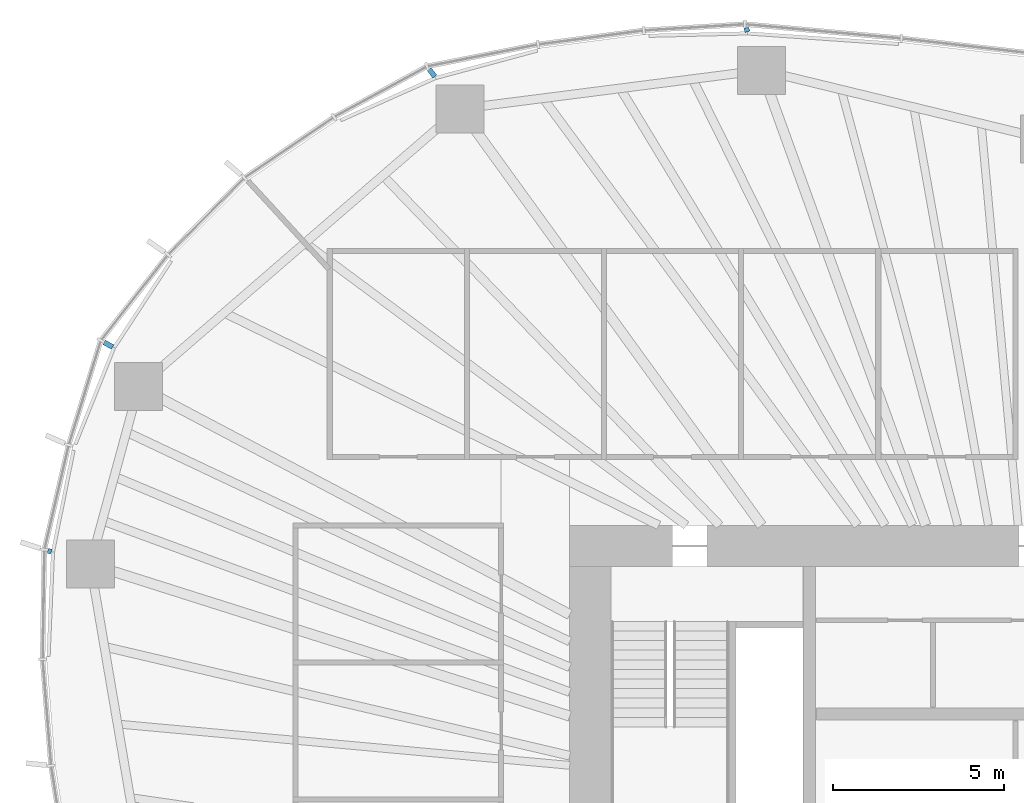
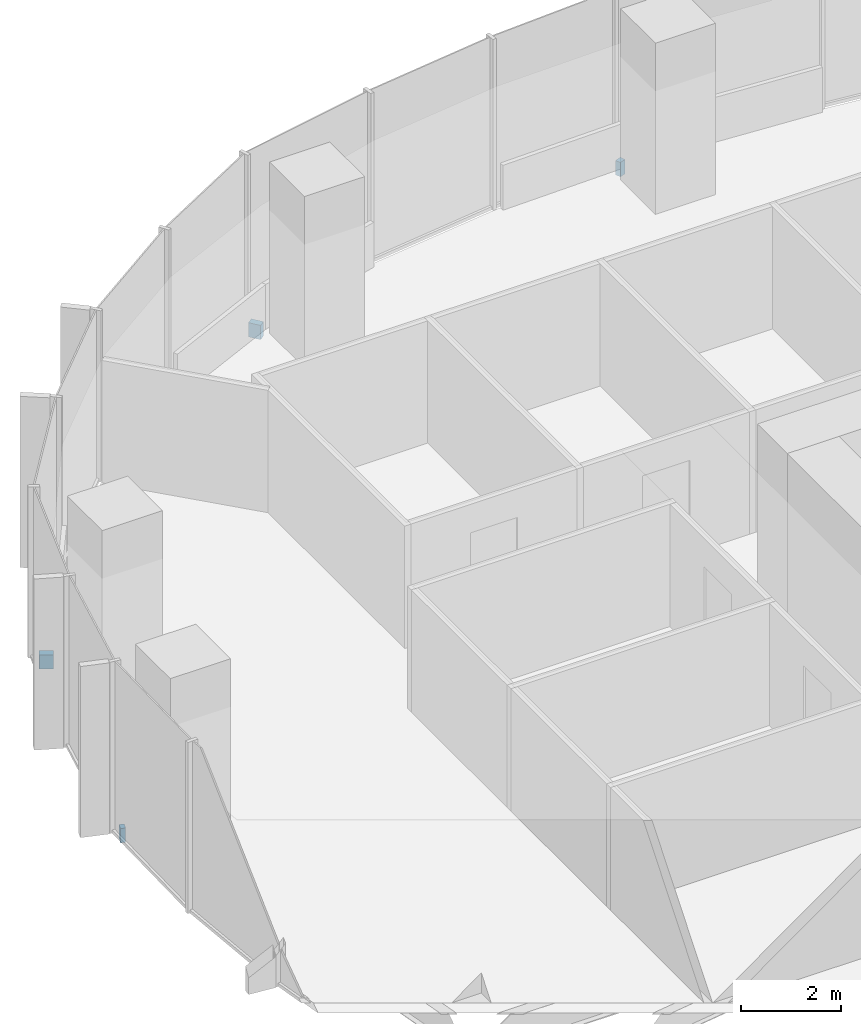
# One storey, part 15 of 18: 4 discrete accessories.
"""IFC4 building model written with IfcOpenShell, lengths in metres."""

from ifc_helpers import new_model, si_unit, direction, frame, origin, origin_2d, place, context, subcontext, project, spatial, rectangle, extrude, material, type_object, element, save


model = new_model("IFC4")

# Units and contexts
model_context = context("Model", 3, precision=1e-05, world=origin(), true_north=direction((0.0, 1.0)))
body_context = subcontext(model_context, "Body", "Model", "MODEL_VIEW")
ifc_project = project(units=[si_unit("LENGTHUNIT", "METRE"), si_unit("AREAUNIT", "SQUARE_METRE"), si_unit("VOLUMEUNIT", "CUBIC_METRE"), si_unit("PLANEANGLEUNIT", "RADIAN"), si_unit("MASSUNIT", "GRAM", prefix="KILO")], contexts=[model_context])

# Site, building, storey
site_placement = place(None, origin())
site = spatial("IfcSite", under=ifc_project, at=site_placement, CompositionType="ELEMENT")
building_placement = place(site_placement, origin())
building = spatial("IfcBuilding", under=site, at=building_placement, Name="Ghaith Harvest Tower", CompositionType="ELEMENT")
storey_placement = place(building_placement, frame((0.0, 0.0, 172.199951171875)))
storey = spatial("IfcBuildingStorey", under=building, at=storey_placement, Name="L37", CompositionType="ELEMENT", Elevation=172.199951171875)

# Discrete accessories
ifc_material_1 = material(Name="Stainless steel grade 1.4401", Category="steel")
discrete_accessory_type_1 = type_object("IfcDiscreteAccessoryType", Name="CURTAIN WALL BRACKET 105", PredefinedType="BRACKET", material=ifc_material_1)
discrete_accessory_1_placement = place(storey_placement, frame((-29.171875, 9.2451171875, -0.25), z_axis=(0.0, 0.0, 1.0), x_axis=(-0.953273219358, 0.302109531884, 0.0)))
element("IfcDiscreteAccessory", 1, at=discrete_accessory_1_placement, inside=storey, type_object=discrete_accessory_type_1, Name="CW-L bracket 1 bay 10 L37", PredefinedType="BRACKET", context=body_context, shape_type="SweptSolid", body=[
    extrude(rectangle(XDim=0.10498046875, YDim=0.14990234375, at=origin_2d()), origin(), (0.0, 0.0, 1.0), 0.35009765625),
])
ifc_material_2 = material(Name="Stainless steel grade 1.4401", Category="steel")
discrete_accessory_type_2 = type_object("IfcDiscreteAccessoryType", Name="CURTAIN WALL BRACKET 125", PredefinedType="BRACKET", material=ifc_material_2)
discrete_accessory_2_placement = place(storey_placement, frame((-8.833984375, 24.45849609375, -0.25), z_axis=(0.0, 0.0, 1.0), x_axis=(-0.339699453402, 0.94053404051, 0.0)))
element("IfcDiscreteAccessory", 2, at=discrete_accessory_2_placement, inside=storey, type_object=discrete_accessory_type_2, Name="CW-L bracket 1 bay 07 L37", PredefinedType="BRACKET", context=body_context, shape_type="SweptSolid", body=[
    extrude(rectangle(XDim=0.125, YDim=0.14990234375, at=origin_2d()), origin(), (0.0, 0.0, 1.0), 0.35009765625),
])
ifc_material_3 = material(Name="Stainless steel grade 1.4401", Category="steel")
discrete_accessory_type_3 = type_object("IfcDiscreteAccessoryType", Name="CURTAIN WALL BRACKET 265", PredefinedType="BRACKET", material=ifc_material_3)
discrete_accessory_3_placement = place(storey_placement, frame((-18.0166015625, 23.197998046875, -0.25), z_axis=(0.0, 0.0, 1.0), x_axis=(-0.613377714422, 0.78978970584, 0.0)))
element("IfcDiscreteAccessory", 3, at=discrete_accessory_3_placement, inside=storey, type_object=discrete_accessory_type_3, Name="CW-L bracket 1 bay 08 L37", PredefinedType="BRACKET", context=body_context, shape_type="SweptSolid", body=[
    extrude(rectangle(XDim=0.264892578125, YDim=0.14990234375, at=origin_2d()), origin(), (0.0, 0.0, 1.0), 0.35009765625),
])
ifc_material_4 = material(Name="Stainless steel grade 1.4401", Category="steel")
discrete_accessory_type_4 = type_object("IfcDiscreteAccessoryType", Name="CURTAIN WALL BRACKET 285", PredefinedType="BRACKET", material=ifc_material_4)
discrete_accessory_4_placement = place(storey_placement, frame((-27.45849609375, 15.271728515625, -0.25), z_axis=(0.0, 0.0, 1.0), x_axis=(-0.873926916005, 0.486057347935, 0.0)))
element("IfcDiscreteAccessory", 4, at=discrete_accessory_4_placement, inside=storey, type_object=discrete_accessory_type_4, Name="CW-L bracket 2 bay 09 L37", PredefinedType="BRACKET", context=body_context, shape_type="SweptSolid", body=[
    extrude(rectangle(XDim=0.284912109375, YDim=0.14990234375, at=origin_2d()), origin(), (0.0, 0.0, 1.0), 0.35009765625),
])

save(model, "model.ifc")
